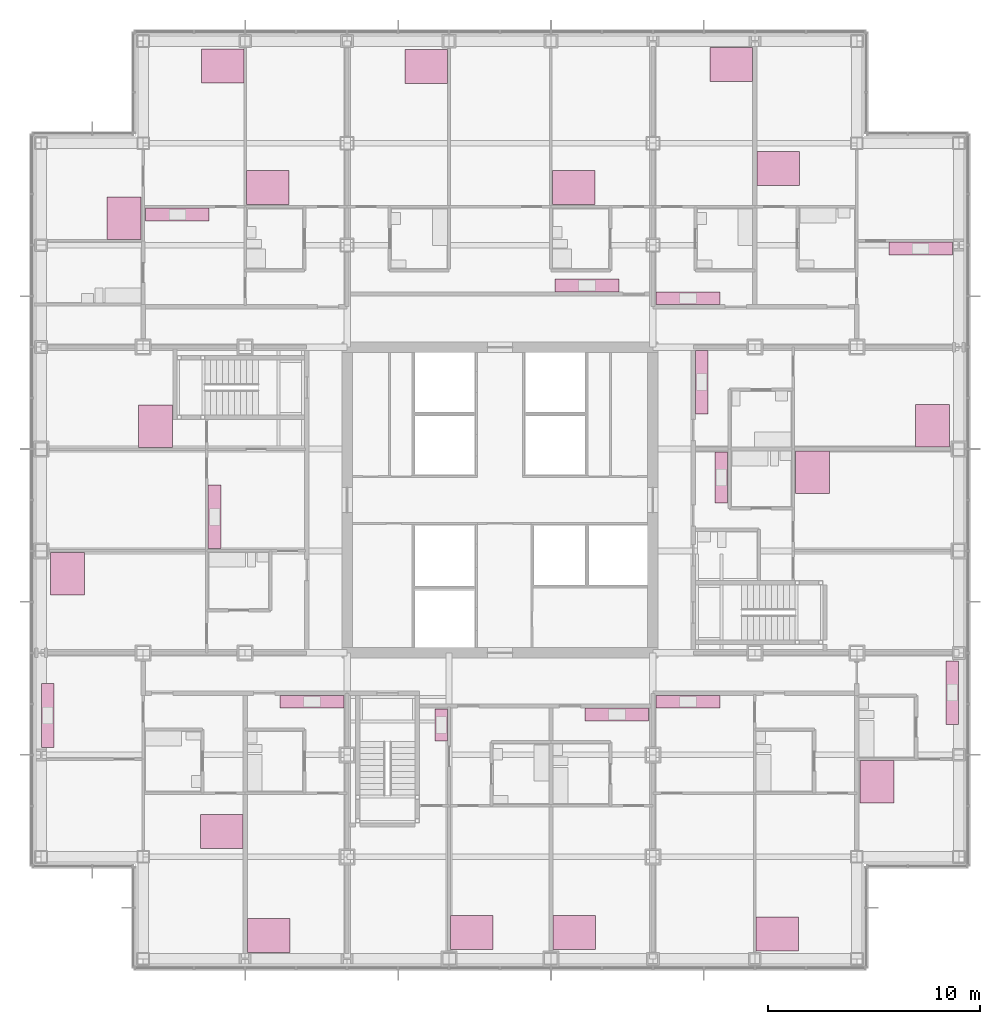
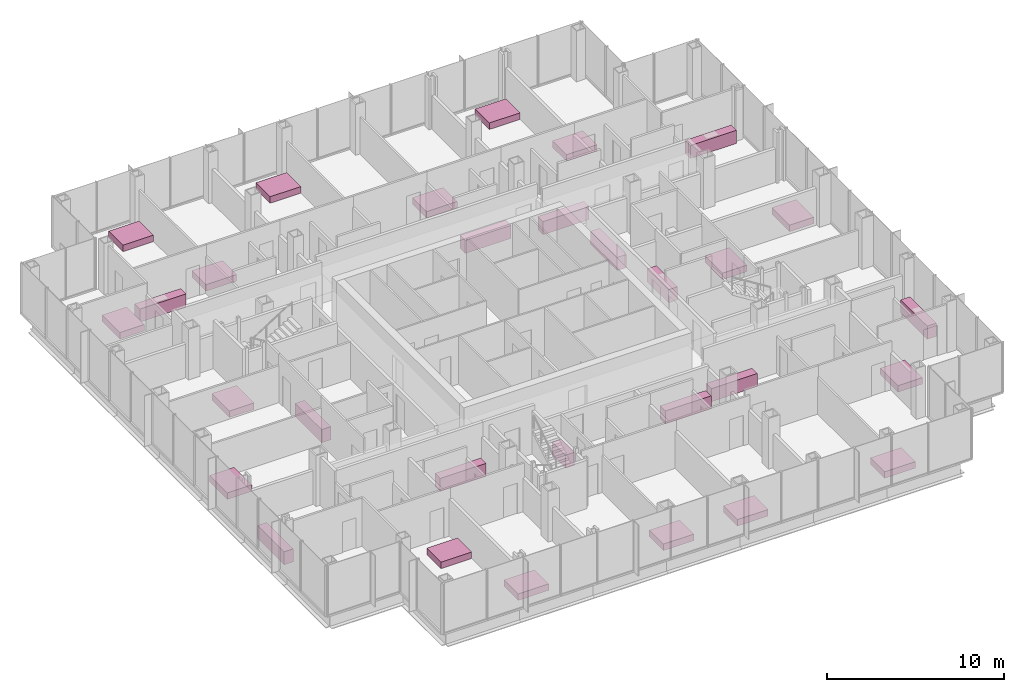
# One storey, part 21 of 21: 30 furniture elements.
"""IFC4 building model written with IfcOpenShell, lengths in metres."""

from ifc_helpers import new_model, si_unit, direction, frame, origin, origin_2d, place, context, subcontext, project, spatial, rectangle, extrude, material, type_object, element, save


model = new_model("IFC4")

# Units and contexts
model_context = context("Model", 3, precision=1e-05, world=origin(), true_north=direction((0.0, 1.0)))
body_context = subcontext(model_context, "Body", "Model", "MODEL_VIEW")
ifc_project = project(units=[si_unit("LENGTHUNIT", "METRE"), si_unit("AREAUNIT", "SQUARE_METRE"), si_unit("VOLUMEUNIT", "CUBIC_METRE"), si_unit("PLANEANGLEUNIT", "RADIAN"), si_unit("MASSUNIT", "GRAM", prefix="KILO")], contexts=[model_context])

# Site, building, storey
site_placement = place(None, origin())
site = spatial("IfcSite", under=ifc_project, at=site_placement, CompositionType="ELEMENT")
building_placement = place(site_placement, origin())
building = spatial("IfcBuilding", under=site, at=building_placement, Name="Kvirike Care Tower", CompositionType="ELEMENT")
storey_placement = place(building_placement, frame((0.0, 0.0, 44.5)))
storey = spatial("IfcBuildingStorey", under=building, at=storey_placement, Name="L11", CompositionType="ELEMENT", Elevation=44.5)

# Furniture
ifc_material_1 = material(Name="Timber", Category="wood")
furniture_type_1 = type_object("IfcFurnitureType", Name="DOUBLE BED 1600 x 2000", AssemblyPlace="FACTORY", PredefinedType="BED", material=ifc_material_1)
for number, where, z_axis, x_axis, name in (
    (1, (8.498046875, 20.389892578125, 0.0), (0.0, 0.0, 1.0), (0.0, -1.0, 0.0), "Double bed L11-003"),
    (2, (10.701904296875, 15.4970703125, 0.0), (0.0, 0.0, 1.0), (0.0, 1.0, 0.0), "Double bed L11-007"),
    (3, (5.389892578125, 39.4619140625, 0.0), (0.0, 0.0, 1.0), (-1.0, 0.0, 0.0), "Double bed L11-012"),
    (4, (1.2451171875, 32.5380859375, 0.0), (0.0, 0.0, 1.0), (1.0, 0.0, 0.0), "Double bed L11-014"),
    (5, (10.662109375, 50.7099609375, 0.0), (0.0, 0.0, 1.0), (0.0, 1.0, 0.0), "Double bed L11-020"),
    (6, (8.5380859375, 56.429931640625, 0.0), (0.0, 0.0, 1.0), (0.0, -1.0, 0.0), "Double bed L11-021"),
    (7, (3.889892578125, 49.261962890625, 0.0), (0.0, 0.0, 1.0), (-1.0, 0.0, 0.0), "Double bed L11-022"),
    (8, (20.261962890625, 15.64501953125, 0.0), (0.0, 0.0, 1.0), (0.0, 1.0, 0.0), "Double bed L11-030"),
    (9, (25.10205078125, 15.64501953125, 0.0), (0.0, 0.0, 1.0), (0.0, 1.0, 0.0), "Double bed L11-034"),
    (10, (25.06201171875, 50.7099609375, 0.0), (0.0, 0.0, 1.0), (0.0, 1.0, 0.0), "Double bed L11-038"),
    (11, (18.137939453125, 56.405029296875, 0.0), (0.0, 0.0, 1.0), (0.0, -1.0, 0.0), "Double bed L11-040"),
    (12, (34.662109375, 15.570068359375, 0.0), (0.0, 0.0, 1.0), (0.0, 1.0, 0.0), "Double bed L11-046"),
    (13, (39.35009765625, 22.738037109375, 0.0), (0.0, 0.0, 1.0), (1.0, 0.0, 0.0), "Double bed L11-050"),
    (14, (36.31005859375, 37.298095703125, 0.0), (0.0, 0.0, 1.0), (1.0, 0.0, 0.0), "Double bed L11-056"),
    (15, (41.955078125, 39.501953125, 0.0), (0.0, 0.0, 1.0), (-1.0, 0.0, 0.0), "Double bed L11-060"),
    (16, (34.701904296875, 51.610107421875, 0.0), (0.0, 0.0, 1.0), (0.0, 1.0, 0.0), "Double bed L11-065"),
    (17, (32.498046875, 56.5029296875, 0.0), (0.0, 0.0, 1.0), (0.0, -1.0, 0.0), "Double bed L11-069"),
):
    element("IfcFurniture", number, at=place(storey_placement, frame(where, z_axis=z_axis, x_axis=x_axis)), inside=storey, type_object=furniture_type_1, Name=name, PredefinedType="BED", context=body_context, shape_type="SweptSolid", body=[
        extrude(rectangle(XDim=1.60009765625, YDim=2.0, at=origin_2d()), origin(), (0.0, 0.0, 1.0), 0.449951171875),
    ])
ifc_material_2 = material(Name="Laminated board", Category="wood")
furniture_type_2 = type_object("IfcFurnitureType", Name="KITCHEN UNIT RUN 600", AssemblyPlace="FACTORY", PredefinedType="USERDEFINED", material=ifc_material_2)
for number, where, z_axis, x_axis, name in (
    (18, (0.302001953125, 25.8544921875, 0.0), (0.0, 0.0, 1.0), (0.0, 1.0, 0.0), "Kitchen unit run L11-005"),
    (19, (12.75, 26.498046875, 0.0), (0.0, 0.0, 1.0), (1.0, 0.0, 0.0), "Kitchen unit run L11-009"),
    (20, (8.162109375, 35.2099609375, 0.0), (0.0, 0.0, 1.0), (0.0, 1.0, 0.0), "Kitchen unit run L11-017"),
    (21, (6.409912109375, 49.43798828125, 0.0), (0.0, 0.0, 1.0), (1.0, 0.0, 0.0), "Kitchen unit run L11-026"),
):
    element("IfcFurniture", number, at=place(storey_placement, frame(where, z_axis=z_axis, x_axis=x_axis)), inside=storey, type_object=furniture_type_2, Name=name, ObjectType="KITCHEN UNIT", PredefinedType="USERDEFINED", context=body_context, shape_type="SweptSolid", body=[
        extrude(rectangle(XDim=3.0, YDim=0.60009765625, at=origin_2d()), origin(), (0.0, 0.0, 1.0), 0.89990234375),
    ])
furniture_1_placement = place(storey_placement, frame((18.837890625, 25.39990234375, 0.0), z_axis=(0.0, 0.0, 1.0), x_axis=(0.0, -1.0, 0.0)))
element("IfcFurniture", 22, at=furniture_1_placement, inside=storey, type_object=furniture_type_2, Name="Kitchen unit run L11-032", ObjectType="KITCHEN UNIT", PredefinedType="USERDEFINED", context=body_context, shape_type="SweptSolid", body=[
    extrude(rectangle(XDim=1.5, YDim=0.60009765625, at=origin_2d()), origin(), (0.0, 0.0, 1.0), 0.89990234375),
])
for number, where, z_axis, x_axis, name in (
    (23, (27.10009765625, 25.89794921875, 0.0), (0.0, 0.0, 1.0), (1.0, 0.0, 0.0), "Kitchen unit run L11-036"),
    (24, (25.699951171875, 46.10205078125, 0.0), (0.0, 0.0, 1.0), (-1.0, 0.0, 0.0), "Kitchen unit run L11-043"),
    (25, (30.449951171875, 26.498046875, 0.0), (0.0, 0.0, 1.0), (1.0, 0.0, 0.0), "Kitchen unit run L11-048"),
    (26, (42.89794921875, 26.929931640625, 0.0), (0.0, 0.0, 1.0), (0.0, -1.0, 0.0), "Kitchen unit run L11-052"),
):
    element("IfcFurniture", number, at=place(storey_placement, frame(where, z_axis=z_axis, x_axis=x_axis)), inside=storey, type_object=furniture_type_2, Name=name, ObjectType="KITCHEN UNIT", PredefinedType="USERDEFINED", context=body_context, shape_type="SweptSolid", body=[
        extrude(rectangle(XDim=3.0, YDim=0.60009765625, at=origin_2d()), origin(), (0.0, 0.0, 1.0), 0.89990234375),
    ])
furniture_2_placement = place(storey_placement, frame((32.02294921875, 37.050048828125, 0.0), z_axis=(0.0, 0.0, 1.0), x_axis=(0.0, -1.0, 0.0)))
element("IfcFurniture", 27, at=furniture_2_placement, inside=storey, type_object=furniture_type_2, Name="Kitchen unit run L11-059", ObjectType="KITCHEN UNIT", PredefinedType="USERDEFINED", context=body_context, shape_type="SweptSolid", body=[
    extrude(rectangle(XDim=2.39990234375, YDim=0.60009765625, at=origin_2d()), origin(), (0.0, 0.0, 1.0), 0.89990234375),
])
for number, where, z_axis, x_axis, name in (
    (28, (31.10205078125, 41.550048828125, 0.0), (0.0, 0.0, 1.0), (0.0, 1.0, 0.0), "Kitchen unit run L11-062"),
    (29, (41.409912109375, 47.837890625, 0.0), (0.0, 0.0, 1.0), (1.0, 0.0, 0.0), "Kitchen unit run L11-067"),
    (30, (30.449951171875, 45.501953125, 0.0), (0.0, 0.0, 1.0), (-1.0, 0.0, 0.0), "Kitchen unit run L11-071"),
):
    element("IfcFurniture", number, at=place(storey_placement, frame(where, z_axis=z_axis, x_axis=x_axis)), inside=storey, type_object=furniture_type_2, Name=name, ObjectType="KITCHEN UNIT", PredefinedType="USERDEFINED", context=body_context, shape_type="SweptSolid", body=[
        extrude(rectangle(XDim=3.0, YDim=0.60009765625, at=origin_2d()), origin(), (0.0, 0.0, 1.0), 0.89990234375),
    ])

save(model, "model.ifc")
